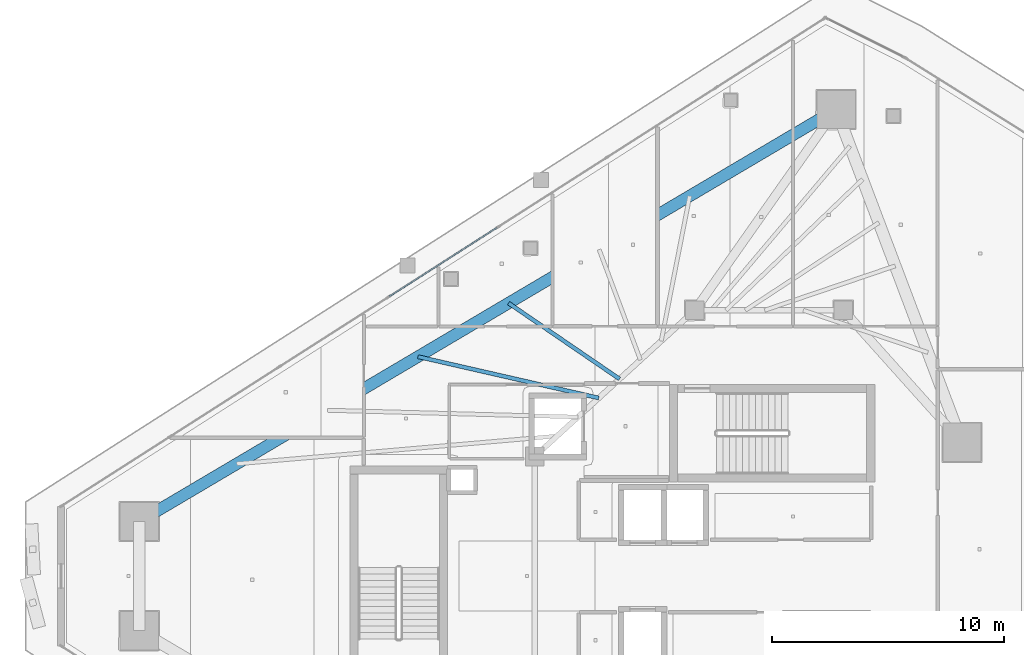
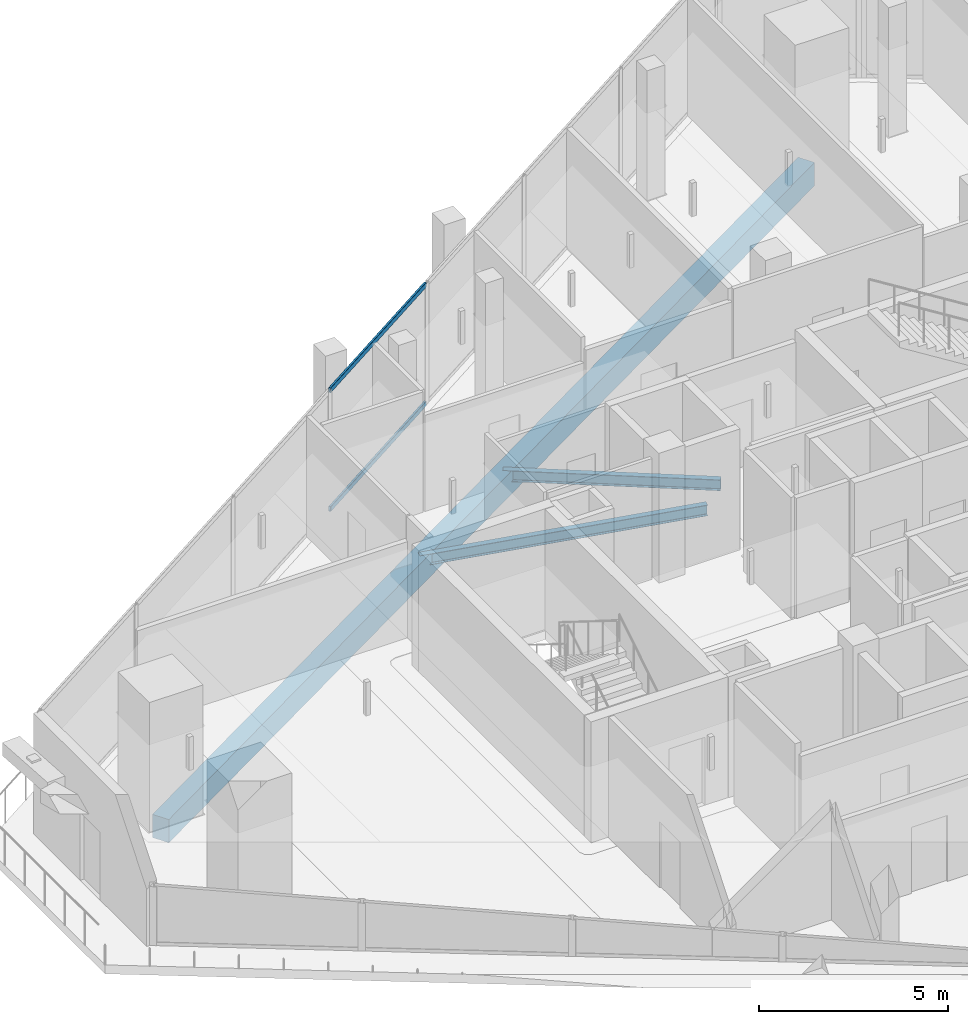
# One storey, part 16 of 36: 3 beams, 2 members, 1 element without a shape of its own.
"""IFC4 building model written with IfcOpenShell, lengths in metres."""

from ifc_helpers import new_model, si_unit, direction, frame, origin, origin_2d, place, context, subcontext, project, spatial, rectangle, hollow_rectangle, i_section, extrude, material, layer, layer_set, material_profile, profile_set, type_object, element, aggregate, save


model = new_model("IFC4")

# Units and contexts
model_context = context("Model", 3, precision=1e-05, world=origin(), true_north=direction((0.0, 1.0)))
body_context = subcontext(model_context, "Body", "Model", "MODEL_VIEW")
ifc_project = project(units=[si_unit("LENGTHUNIT", "METRE"), si_unit("AREAUNIT", "SQUARE_METRE"), si_unit("VOLUMEUNIT", "CUBIC_METRE"), si_unit("PLANEANGLEUNIT", "RADIAN"), si_unit("MASSUNIT", "GRAM", prefix="KILO")], contexts=[model_context])

# Site, building, storey
site_placement = place(None, origin())
site = spatial("IfcSite", under=ifc_project, at=site_placement, CompositionType="ELEMENT")
building_placement = place(site_placement, origin())
building = spatial("IfcBuilding", under=site, at=building_placement, Name="Qorvath Tower", CompositionType="ELEMENT")
storey_placement = place(building_placement, frame((0.0, 0.0, 272.39990234375)))
storey = spatial("IfcBuildingStorey", under=building, at=storey_placement, Name="L63", CompositionType="ELEMENT", Elevation=272.39990234375)

# Beams
ifc_material_1 = material(Name="Steel ASTM A992 Grade 50", Category="steel")
ifc_material_profile_1 = material_profile(ifc_material_1, i_section(OverallWidth=0.1708984375, OverallDepth=0.35107421875, WebThickness=0.0068359375, FlangeThickness=0.009765625, FilletRadius=0.010009765625, at=origin_2d()), Name="W14x30")
ifc_profile_set_1 = profile_set([ifc_material_profile_1], Name="Steel ASTM A992 Grade 50")
beam_type_1 = type_object("IfcBeamType", Name="BM-FJ4", PredefinedType="JOIST", material=ifc_profile_set_1)
beam_1_placement = place(storey_placement, frame((-27.739990234375, 7.669921875, -0.46533203125), z_axis=(-0.974852627195, 0.222850522212, 0.0), x_axis=(-0.222850522212, -0.974852627195, 0.0)))
element("IfcBeam", 1, at=beam_1_placement, inside=storey, type_object=beam_type_1, Name="Composite Floor Joist NW3 L63", PredefinedType="JOIST", context=body_context, shape_type="SweptSolid", body=[
    extrude(i_section(OverallWidth=0.1708984375, OverallDepth=0.35107421875, WebThickness=0.0068359375, FlangeThickness=0.009765625, FilletRadius=0.010009765625, at=origin_2d()), origin(), (0.0, 0.0, 1.0), 7.98974609375),
])
beam_2_placement = place(storey_placement, frame((-26.843017578125, 8.489013671875, -0.46533203125), z_axis=(-0.82557592702, 0.564291049658, 0.0), x_axis=(-0.564291049658, -0.82557592702, 0.0)))
element("IfcBeam", 2, at=beam_2_placement, inside=storey, type_object=beam_type_1, Name="Composite Floor Joist NW4 L63", PredefinedType="JOIST", context=body_context, shape_type="SweptSolid", body=[
    extrude(i_section(OverallWidth=0.1708984375, OverallDepth=0.35107421875, WebThickness=0.0068359375, FlangeThickness=0.009765625, FilletRadius=0.010009765625, at=origin_2d()), origin(), (0.0, 0.0, 1.0), 5.793212890625),
])
ifc_material_2 = material(Name="Concrete C45/55", Category="concrete")
ifc_material_profile_2 = material_profile(ifc_material_2, rectangle(XDim=0.5, YDim=0.75, at=origin_2d()), Name="RCB 750x500")
ifc_profile_set_2 = profile_set([ifc_material_profile_2], Name="Concrete C45/55")
beam_type_2 = type_object("IfcBeamType", Name="BM-RCB3", PredefinedType="SPANDREL", material=ifc_profile_set_2)
beam_3_placement = place(storey_placement, frame((-17.515380859375, 20.1015625, -0.664794921875), z_axis=(-0.860781425392, -0.50897479083, 0.0), x_axis=(0.50897479083, -0.860781425392, 0.0)))
element("IfcBeam", 3, at=beam_3_placement, inside=storey, type_object=beam_type_2, Name="Perimeter Loggia Frame Beam MC6-MC1 L63", PredefinedType="SPANDREL", context=body_context, shape_type="SweptSolid", body=[
    extrude(rectangle(XDim=0.5, YDim=0.75, at=origin_2d()), origin(), (0.0, 0.0, 1.0), 34.8779296875),
])

# Curtain wall, members
ifc_material_3 = material(Name="Anodised aluminium and triple low-E glass", Category="aluminium")
ifc_layer = layer(ifc_material_3, 0.179931640625)
ifc_layer_set = layer_set([ifc_layer], Name="CW-SYS-4")
curtain_wall_type = type_object("IfcCurtainWallType", Name="CW-SYS-4", PredefinedType="NOTDEFINED", material=ifc_layer_set)
curtain_wall_placement = place(storey_placement, origin())
curtain_wall = element("IfcCurtainWall", 4, at=curtain_wall_placement, inside=storey, type_object=curtain_wall_type, Name="Curtain Wall CW-4 CW-T-L63-16.1", PredefinedType="NOTDEFINED")
ifc_material_4 = material(Name="Anodised aluminium 6063-T6", Category="aluminium")
ifc_material_profile_3 = material_profile(ifc_material_4, hollow_rectangle(XDim=0.06494140625, YDim=0.159912109375, WallThickness=0.00341796875, InnerFilletRadius=0.00341796875, OuterFilletRadius=0.007080078125, at=origin_2d()), Name="CWT 160x65")
ifc_profile_set_3 = profile_set([ifc_material_profile_3], Name="Anodised aluminium 6063-T6")
member_type = type_object("IfcMemberType", Name="CWT-160", PredefinedType="USERDEFINED", material=ifc_profile_set_3)
member_1_placement = place(storey_placement, frame((-32.125244140625, 15.009521484375, 0.032470703125), z_axis=(-0.842597346925, -0.538544065935, 0.0), x_axis=(0.538544065935, -0.842597346925, 0.0)))
member_1 = element("IfcMember", 5, at=member_1_placement, type_object=member_type, Name="CW-4 transom 4.1", ObjectType="TRANSOM", PredefinedType="USERDEFINED", context=body_context, shape_type="SweptSolid", body=[
    extrude(hollow_rectangle(XDim=0.06494140625, YDim=0.159912109375, WallThickness=0.00341796875, InnerFilletRadius=0.00341796875, OuterFilletRadius=0.007080078125, at=origin_2d()), origin(), (0.0, 0.0, 1.0), 5.506591796875),
])
member_2_placement = place(storey_placement, frame((-32.125244140625, 15.009521484375, 3.877685546875), z_axis=(-0.842597346925, -0.538544065935, 0.0), x_axis=(0.538544065935, -0.842597346925, 0.0)))
member_2 = element("IfcMember", 6, at=member_2_placement, type_object=member_type, Name="CW-4 transom 4.2", ObjectType="TRANSOM", PredefinedType="USERDEFINED", context=body_context, shape_type="SweptSolid", body=[
    extrude(hollow_rectangle(XDim=0.06494140625, YDim=0.159912109375, WallThickness=0.00341796875, InnerFilletRadius=0.00341796875, OuterFilletRadius=0.007080078125, at=origin_2d()), origin(), (0.0, 0.0, 1.0), 5.506591796875),
])
aggregate(curtain_wall, [member_1, member_2])

save(model, "model.ifc")
